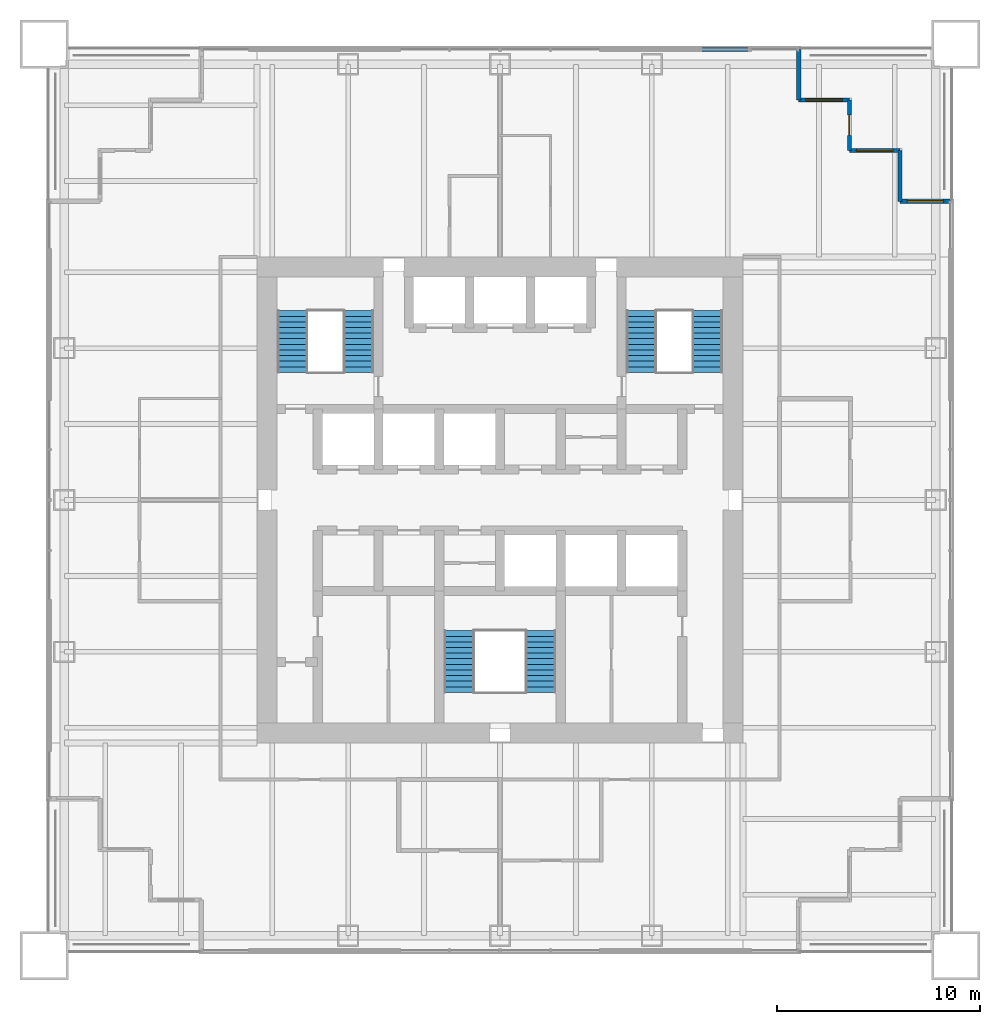
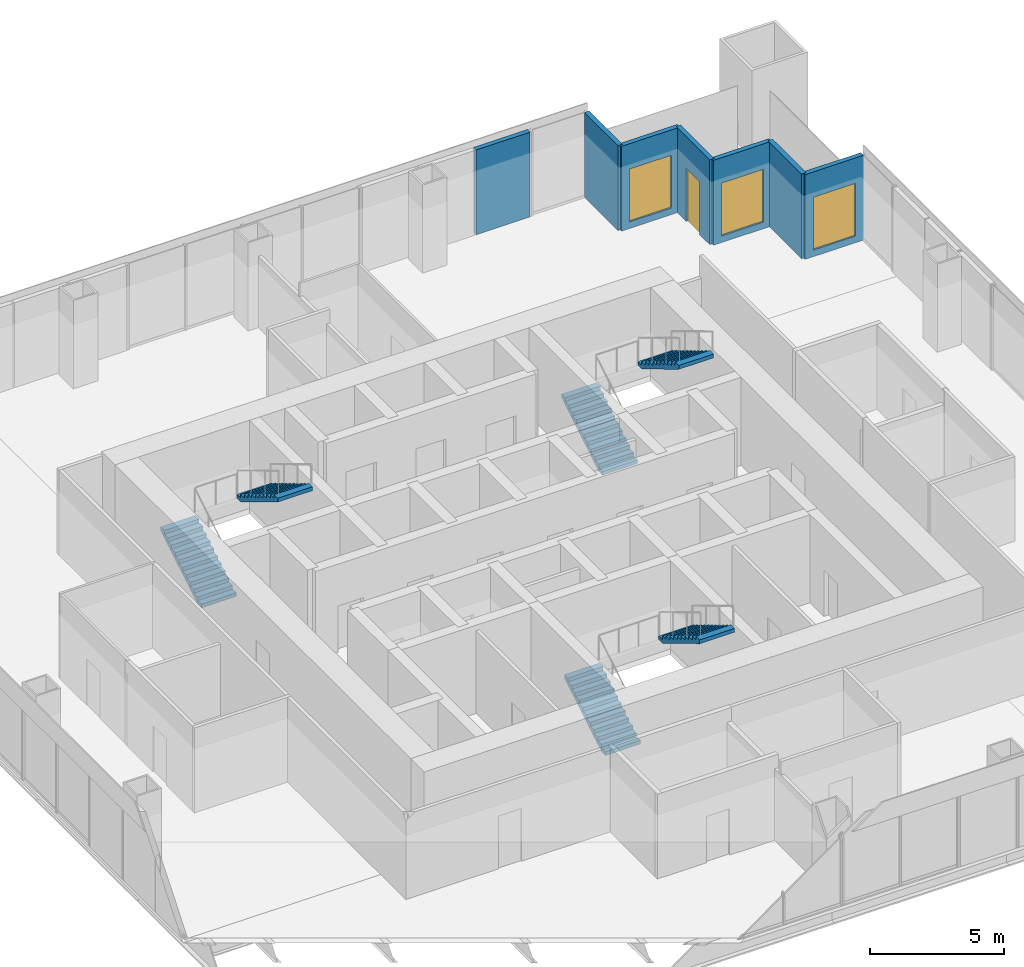
# One storey, part 11 of 13: 7 walls, 6 stair flights, 3 windows, 1 door, 4 openings, 3 elements without a shape of their own.
"""IFC4 building model written with IfcOpenShell, lengths in metres."""

from ifc_helpers import new_model, si_unit, direction, frame, frame_2d, origin, place, context, subcontext, project, spatial, polyline, rectangle, outline, extrude, material, layer, layer_set, type_object, element, fill, aggregate, save


model = new_model("IFC4")

# Units and contexts
model_context = context("Model", 3, precision=1e-05, world=origin(), true_north=direction((0.0, 1.0)))
body_context = subcontext(model_context, "Body", "Model", "MODEL_VIEW")
ifc_project = project(units=[si_unit("LENGTHUNIT", "METRE"), si_unit("AREAUNIT", "SQUARE_METRE"), si_unit("VOLUMEUNIT", "CUBIC_METRE"), si_unit("PLANEANGLEUNIT", "RADIAN"), si_unit("MASSUNIT", "GRAM", prefix="KILO")], contexts=[model_context])

# Site, building, storey
site_placement = place(None, origin())
site = spatial("IfcSite", under=ifc_project, at=site_placement, CompositionType="ELEMENT")
building_placement = place(site_placement, origin())
building = spatial("IfcBuilding", under=site, at=building_placement, Name="Tarangal Relay Tower", CompositionType="ELEMENT")
storey_placement = place(building_placement, frame((0.0, 0.0, 225.89990234375)))
storey = spatial("IfcBuildingStorey", under=building, at=storey_placement, Name="L48", CompositionType="ELEMENT", Elevation=225.89990234375)

# Wall
ifc_material_1 = material(Name="Black metal clad insulated wall", Category="steel")
ifc_layer_1 = layer(ifc_material_1, 0.199951171875)
ifc_layer_set_1 = layer_set([ifc_layer_1], Name="Corner wall metal clad 200")
wall_type_1 = type_object("IfcWallType", Name="Corner wall metal clad 200", PredefinedType="SOLIDWALL", material=ifc_layer_set_1)
wall_1_placement = place(storey_placement, frame((14.75, 22.25, 0.0), z_axis=(0.0, 0.0, 1.0), x_axis=(0.0, -1.0, 0.0)))
element("IfcWall", 1, at=wall_1_placement, inside=storey, type_object=wall_type_1, Name="Facade wall N facade L48", PredefinedType="SOLIDWALL", context=body_context, shape_type="SweptSolid", body=[
    extrude(rectangle(XDim=2.5, YDim=0.199951171875, at=frame_2d((1.25, 0.0))), origin(), (0.0, 0.0, 1.0), 3.85009765625),
])

# Wall, opening, window
wall_2_placement = place(storey_placement, frame((14.75, 19.75, 0.0), z_axis=(0.0, 0.0, 1.0), x_axis=(1.0, 0.0, 0.0)))
wall_2 = element("IfcWall", 2, at=wall_2_placement, inside=storey, type_object=wall_type_1, Name="Facade wall N facade L48", PredefinedType="SOLIDWALL", context=body_context, shape_type="SweptSolid", body=[
    extrude(rectangle(XDim=2.5, YDim=0.199951171875, at=frame_2d((1.25, 0.0))), origin(), (0.0, 0.0, 1.0), 3.85009765625),
])
opening_1_placement = place(wall_2_placement, frame((0.35009765625, 0.0, 0.300048828125)))
opening_1 = element("IfcOpeningElement", 3, at=opening_1_placement, cuts=wall_2, Name="Opening WN2", PredefinedType="OPENING", context=body_context, shape_type="SweptSolid", body=[
    extrude(rectangle(XDim=1.800048828125, YDim=2.39990234375, at=frame_2d((0.89990234375, 1.199951171875))), frame((0.0, 0.10986328125, 0.0), z_axis=(0.0, -1.0, 0.0), x_axis=(1.0, 0.0, 0.0)), (0.0, 0.0, 1.0), 0.219970703125),
])
ifc_material_2 = material(Name="Dark tinted double glazing in black aluminium frame", Category="aluminium")
window_type = type_object("IfcWindowType", Name="Corner window 1800 x 2400", PartitioningType="SINGLE_PANEL", PredefinedType="WINDOW", material=ifc_material_2)
window_1_placement = place(opening_1_placement, origin())
window_1 = element("IfcWindow", 4, at=window_1_placement, inside=storey, type_object=window_type, Name="Corner window WN2 N facade L48", OverallHeight=2.39990234375, OverallWidth=1.800048828125, PartitioningType="SINGLE_PANEL", PredefinedType="WINDOW", context=body_context, shape_type="SweptSolid", body=[
    extrude(rectangle(XDim=1.800048828125, YDim=2.39990234375, at=frame_2d((0.89990234375, 1.199951171875))), frame((0.0, 0.030029296875, 0.0), z_axis=(0.0, -1.0, 0.0), x_axis=(1.0, 0.0, 0.0)), (0.0, 0.0, 1.0), 0.06005859375),
])
fill(opening_1, window_1)

# Wall, opening, door
wall_3_placement = place(storey_placement, frame((17.25, 19.75, 0.0), z_axis=(0.0, 0.0, 1.0), x_axis=(0.0, -1.0, 0.0)))
wall_3 = element("IfcWall", 5, at=wall_3_placement, inside=storey, type_object=wall_type_1, Name="Facade wall N facade L48", PredefinedType="SOLIDWALL", context=body_context, shape_type="SweptSolid", body=[
    extrude(rectangle(XDim=2.5, YDim=0.199951171875, at=frame_2d((1.25, 0.0))), origin(), (0.0, 0.0, 1.0), 3.85009765625),
])
opening_2_placement = place(wall_3_placement, frame((0.75, 0.0, 0.0)))
opening_2 = element("IfcOpeningElement", 6, at=opening_2_placement, cuts=wall_3, Name="Opening TD1", PredefinedType="OPENING", context=body_context, shape_type="SweptSolid", body=[
    extrude(rectangle(XDim=1.0, YDim=2.39990234375, at=frame_2d((0.5, 1.199951171875))), frame((0.0, 0.10986328125, 0.0), z_axis=(0.0, -1.0, 0.0), x_axis=(1.0, 0.0, 0.0)), (0.0, 0.0, 1.0), 0.219970703125),
])
ifc_material_3 = material(Name="Aluminium glazed door", Category="aluminium")
door_type = type_object("IfcDoorType", Name="Terrace door 1000 x 2400", OperationType="SINGLE_SWING_RIGHT", PredefinedType="DOOR", material=ifc_material_3)
door_placement = place(opening_2_placement, origin())
door = element("IfcDoor", 7, at=door_placement, inside=storey, type_object=door_type, Name="Terrace door TD1 NE L48", OperationType="SINGLE_SWING_RIGHT", OverallHeight=2.39990234375, OverallWidth=1.0, PredefinedType="DOOR", context=body_context, shape_type="SweptSolid", body=[
    extrude(rectangle(XDim=1.0, YDim=2.39990234375, at=frame_2d((0.5, 1.199951171875))), frame((0.0, 0.02490234375, 0.0), z_axis=(0.0, -1.0, 0.0), x_axis=(1.0, 0.0, 0.0)), (0.0, 0.0, 1.0), 0.050048828125),
])
fill(opening_2, door)

# Wall, opening, window
wall_4_placement = place(storey_placement, frame((17.25, 17.25, 0.0), z_axis=(0.0, 0.0, 1.0), x_axis=(1.0, 0.0, 0.0)))
wall_4 = element("IfcWall", 8, at=wall_4_placement, inside=storey, type_object=wall_type_1, Name="Facade wall N facade L48", PredefinedType="SOLIDWALL", context=body_context, shape_type="SweptSolid", body=[
    extrude(rectangle(XDim=2.5, YDim=0.199951171875, at=frame_2d((1.25, 0.0))), origin(), (0.0, 0.0, 1.0), 3.85009765625),
])
opening_3_placement = place(wall_4_placement, frame((0.35009765625, 0.0, 0.300048828125)))
opening_3 = element("IfcOpeningElement", 9, at=opening_3_placement, cuts=wall_4, Name="Opening WN2", PredefinedType="OPENING", context=body_context, shape_type="SweptSolid", body=[
    extrude(rectangle(XDim=1.800048828125, YDim=2.39990234375, at=frame_2d((0.89990234375, 1.199951171875))), frame((0.0, 0.10986328125, 0.0), z_axis=(0.0, -1.0, 0.0), x_axis=(1.0, 0.0, 0.0)), (0.0, 0.0, 1.0), 0.219970703125),
])
window_2_placement = place(opening_3_placement, origin())
window_2 = element("IfcWindow", 10, at=window_2_placement, inside=storey, type_object=window_type, Name="Corner window WN2 N facade L48", OverallHeight=2.39990234375, OverallWidth=1.800048828125, PartitioningType="SINGLE_PANEL", PredefinedType="WINDOW", context=body_context, shape_type="SweptSolid", body=[
    extrude(rectangle(XDim=1.800048828125, YDim=2.39990234375, at=frame_2d((0.89990234375, 1.199951171875))), frame((0.0, 0.030029296875, 0.0), z_axis=(0.0, -1.0, 0.0), x_axis=(1.0, 0.0, 0.0)), (0.0, 0.0, 1.0), 0.06005859375),
])
fill(opening_3, window_2)

# Wall
wall_5_placement = place(storey_placement, frame((19.75, 17.25, 0.0), z_axis=(0.0, 0.0, 1.0), x_axis=(0.0, -1.0, 0.0)))
element("IfcWall", 11, at=wall_5_placement, inside=storey, type_object=wall_type_1, Name="Facade wall N facade L48", PredefinedType="SOLIDWALL", context=body_context, shape_type="SweptSolid", body=[
    extrude(rectangle(XDim=2.5, YDim=0.199951171875, at=frame_2d((1.25, 0.0))), origin(), (0.0, 0.0, 1.0), 3.85009765625),
])

# Wall, opening, window
wall_6_placement = place(storey_placement, frame((19.75, 14.75, 0.0), z_axis=(0.0, 0.0, 1.0), x_axis=(1.0, 0.0, 0.0)))
wall_6 = element("IfcWall", 12, at=wall_6_placement, inside=storey, type_object=wall_type_1, Name="Facade wall N facade L48", PredefinedType="SOLIDWALL", context=body_context, shape_type="SweptSolid", body=[
    extrude(rectangle(XDim=2.5, YDim=0.199951171875, at=frame_2d((1.25, 0.0))), origin(), (0.0, 0.0, 1.0), 3.85009765625),
])
opening_4_placement = place(wall_6_placement, frame((0.35009765625, 0.0, 0.300048828125)))
opening_4 = element("IfcOpeningElement", 13, at=opening_4_placement, cuts=wall_6, Name="Opening WN2", PredefinedType="OPENING", context=body_context, shape_type="SweptSolid", body=[
    extrude(rectangle(XDim=1.800048828125, YDim=2.39990234375, at=frame_2d((0.89990234375, 1.199951171875))), frame((0.0, 0.10986328125, 0.0), z_axis=(0.0, -1.0, 0.0), x_axis=(1.0, 0.0, 0.0)), (0.0, 0.0, 1.0), 0.219970703125),
])
window_3_placement = place(opening_4_placement, origin())
window_3 = element("IfcWindow", 14, at=window_3_placement, inside=storey, type_object=window_type, Name="Corner window WN2 N facade L48", OverallHeight=2.39990234375, OverallWidth=1.800048828125, PartitioningType="SINGLE_PANEL", PredefinedType="WINDOW", context=body_context, shape_type="SweptSolid", body=[
    extrude(rectangle(XDim=1.800048828125, YDim=2.39990234375, at=frame_2d((0.89990234375, 1.199951171875))), frame((0.0, 0.030029296875, 0.0), z_axis=(0.0, -1.0, 0.0), x_axis=(1.0, 0.0, 0.0)), (0.0, 0.0, 1.0), 0.06005859375),
])
fill(opening_4, window_3)

# Wall
ifc_layer_2 = layer(ifc_material_1, 0.199951171875)
ifc_layer_set_2 = layer_set([ifc_layer_2], Name="Facade infill wall metal clad 200")
wall_type_2 = type_object("IfcWallType", Name="Facade infill wall metal clad 200", PredefinedType="SOLIDWALL", material=ifc_layer_set_2)
wall_7_placement = place(storey_placement, frame((9.94921875, 22.25, 0.0), z_axis=(0.0, 0.0, 1.0), x_axis=(1.0, 0.0, 0.0)))
element("IfcWall", 15, at=wall_7_placement, inside=storey, type_object=wall_type_2, Name="Facade infill wall N facade L48 2.1", PredefinedType="SOLIDWALL", context=body_context, shape_type="SweptSolid", body=[
    extrude(rectangle(XDim=2.319091796875, YDim=0.199951171875, at=frame_2d((1.15966796875, 0.0))), origin(), (0.0, 0.0, 1.0), 3.85009765625),
])

# Stair, stair flights
ifc_material_4 = material(Name="Steel ASTM A992 stair flight", Category="steel")
stair_type = type_object("IfcStairType", Name="Core stair 1500", PredefinedType="HALF_TURN_STAIR", material=ifc_material_4)
stair_1_placement = place(storey_placement, origin())
stair_1 = element("IfcStair", 16, at=stair_1_placement, inside=storey, type_object=stair_type, Name="Stair ST-A L48", PredefinedType="HALF_TURN_STAIR")
stair_flight_type = type_object("IfcStairFlightType", Name="Steel stair flight 1500, 12 risers 167 x 277", PredefinedType="STRAIGHT", material=ifc_material_4)
stair_flight_1_placement = place(storey_placement, frame((-10.25, 6.300048828125, 0.0), z_axis=(0.0, 0.0, 1.0), x_axis=(0.0, 1.0, 0.0)))
stair_flight_1 = element("IfcStairFlight", 17, at=stair_flight_1_placement, type_object=stair_flight_type, Name="ST-A flight 1", NumberOfRisers=12, NumberOfTreads=11, PredefinedType="STRAIGHT", RiserHeight=0.166666667, TreadLength=0.277, context=body_context, shape_type="SweptSolid", body=[
    extrude(outline(polyline([(0.0, 0.0), (0.0, 0.166748046875), (0.277099609375, 0.166748046875), (0.277099609375, 0.333251953125), (0.553955078125, 0.333251953125), (0.553955078125, 0.5), (0.8310546875, 0.5), (0.8310546875, 0.666748046875), (1.10791015625, 0.666748046875), (1.10791015625, 0.833251953125), (1.385009765625, 0.833251953125), (1.385009765625, 1.0), (1.662109375, 1.0), (1.662109375, 1.166748046875), (1.93896484375, 1.166748046875), (1.93896484375, 1.333251953125), (2.216064453125, 1.333251953125), (2.216064453125, 1.5), (2.492919921875, 1.5), (2.492919921875, 1.666748046875), (2.77001953125, 1.666748046875), (2.77001953125, 1.833251953125), (3.047119140625, 1.833251953125), (3.047119140625, 2.0), (3.047119140625, 1.658447265625), (0.290771484375, 0.0), (0.0, 0.0)])), frame((0.0, 0.75, 0.0), z_axis=(0.0, -1.0, 0.0), x_axis=(1.0, 0.0, 0.0)), (0.0, 0.0, 1.0), 1.5),
])
stair_flight_2_placement = place(storey_placement, frame((-6.97509765625, 9.346923828125, 2.0), z_axis=(0.0, 0.0, 1.0), x_axis=(0.0, -1.0, 0.0)))
stair_flight_2 = element("IfcStairFlight", 18, at=stair_flight_2_placement, type_object=stair_flight_type, Name="ST-A flight 2", NumberOfRisers=12, NumberOfTreads=11, PredefinedType="STRAIGHT", RiserHeight=0.166666667, TreadLength=0.277, context=body_context, shape_type="SweptSolid", body=[
    extrude(outline(polyline([(0.0, 0.0), (0.0, 0.166748046875), (0.277099609375, 0.166748046875), (0.277099609375, 0.333251953125), (0.553955078125, 0.333251953125), (0.553955078125, 0.5), (0.8310546875, 0.5), (0.8310546875, 0.666748046875), (1.10791015625, 0.666748046875), (1.10791015625, 0.833251953125), (1.385009765625, 0.833251953125), (1.385009765625, 1.0), (1.662109375, 1.0), (1.662109375, 1.166748046875), (1.93896484375, 1.166748046875), (1.93896484375, 1.333251953125), (2.216064453125, 1.333251953125), (2.216064453125, 1.5), (2.492919921875, 1.5), (2.492919921875, 1.666748046875), (2.77001953125, 1.666748046875), (2.77001953125, 1.833251953125), (3.047119140625, 1.833251953125), (3.047119140625, 2.0), (3.047119140625, 1.658447265625), (0.290771484375, 0.0), (0.0, 0.0)])), frame((0.0, 0.75, 0.0), z_axis=(0.0, -1.0, 0.0), x_axis=(1.0, 0.0, 0.0)), (0.0, 0.0, 1.0), 1.5),
])
aggregate(stair_1, [stair_flight_1, stair_flight_2])

stair_2_placement = place(storey_placement, origin())
stair_2 = element("IfcStair", 19, at=stair_2_placement, inside=storey, type_object=stair_type, Name="Stair ST-B L48", PredefinedType="HALF_TURN_STAIR")
stair_flight_3_placement = place(storey_placement, frame((6.97509765625, 6.300048828125, 0.0), z_axis=(0.0, 0.0, 1.0), x_axis=(0.0, 1.0, 0.0)))
stair_flight_3 = element("IfcStairFlight", 20, at=stair_flight_3_placement, type_object=stair_flight_type, Name="ST-B flight 1", NumberOfRisers=12, NumberOfTreads=11, PredefinedType="STRAIGHT", RiserHeight=0.166666667, TreadLength=0.277, context=body_context, shape_type="SweptSolid", body=[
    extrude(outline(polyline([(0.0, 0.0), (0.0, 0.166748046875), (0.277099609375, 0.166748046875), (0.277099609375, 0.333251953125), (0.553955078125, 0.333251953125), (0.553955078125, 0.5), (0.8310546875, 0.5), (0.8310546875, 0.666748046875), (1.10791015625, 0.666748046875), (1.10791015625, 0.833251953125), (1.385009765625, 0.833251953125), (1.385009765625, 1.0), (1.662109375, 1.0), (1.662109375, 1.166748046875), (1.93896484375, 1.166748046875), (1.93896484375, 1.333251953125), (2.216064453125, 1.333251953125), (2.216064453125, 1.5), (2.492919921875, 1.5), (2.492919921875, 1.666748046875), (2.77001953125, 1.666748046875), (2.77001953125, 1.833251953125), (3.047119140625, 1.833251953125), (3.047119140625, 2.0), (3.047119140625, 1.658447265625), (0.290771484375, 0.0), (0.0, 0.0)])), frame((0.0, 0.75, 0.0), z_axis=(0.0, -1.0, 0.0), x_axis=(1.0, 0.0, 0.0)), (0.0, 0.0, 1.0), 1.5),
])
stair_flight_4_placement = place(storey_placement, frame((10.25, 9.346923828125, 2.0), z_axis=(0.0, 0.0, 1.0), x_axis=(0.0, -1.0, 0.0)))
stair_flight_4 = element("IfcStairFlight", 21, at=stair_flight_4_placement, type_object=stair_flight_type, Name="ST-B flight 2", NumberOfRisers=12, NumberOfTreads=11, PredefinedType="STRAIGHT", RiserHeight=0.166666667, TreadLength=0.277, context=body_context, shape_type="SweptSolid", body=[
    extrude(outline(polyline([(0.0, 0.0), (0.0, 0.166748046875), (0.277099609375, 0.166748046875), (0.277099609375, 0.333251953125), (0.553955078125, 0.333251953125), (0.553955078125, 0.5), (0.8310546875, 0.5), (0.8310546875, 0.666748046875), (1.10791015625, 0.666748046875), (1.10791015625, 0.833251953125), (1.385009765625, 0.833251953125), (1.385009765625, 1.0), (1.662109375, 1.0), (1.662109375, 1.166748046875), (1.93896484375, 1.166748046875), (1.93896484375, 1.333251953125), (2.216064453125, 1.333251953125), (2.216064453125, 1.5), (2.492919921875, 1.5), (2.492919921875, 1.666748046875), (2.77001953125, 1.666748046875), (2.77001953125, 1.833251953125), (3.047119140625, 1.833251953125), (3.047119140625, 2.0), (3.047119140625, 1.658447265625), (0.290771484375, 0.0), (0.0, 0.0)])), frame((0.0, 0.75, 0.0), z_axis=(0.0, -1.0, 0.0), x_axis=(1.0, 0.0, 0.0)), (0.0, 0.0, 1.0), 1.5),
])
aggregate(stair_2, [stair_flight_3, stair_flight_4])

stair_3_placement = place(storey_placement, origin())
stair_3 = element("IfcStair", 22, at=stair_3_placement, inside=storey, type_object=stair_type, Name="Stair ST-C L48", PredefinedType="HALF_TURN_STAIR")
stair_flight_5_placement = place(storey_placement, frame((-2.02490234375, -9.5, 0.0), z_axis=(0.0, 0.0, 1.0), x_axis=(0.0, 1.0, 0.0)))
stair_flight_5 = element("IfcStairFlight", 23, at=stair_flight_5_placement, type_object=stair_flight_type, Name="ST-C flight 1", NumberOfRisers=12, NumberOfTreads=11, PredefinedType="STRAIGHT", RiserHeight=0.166666667, TreadLength=0.277, context=body_context, shape_type="SweptSolid", body=[
    extrude(outline(polyline([(0.0, 0.0), (0.0, 0.166748046875), (0.277099609375, 0.166748046875), (0.277099609375, 0.333251953125), (0.553955078125, 0.333251953125), (0.553955078125, 0.5), (0.8310546875, 0.5), (0.8310546875, 0.666748046875), (1.10791015625, 0.666748046875), (1.10791015625, 0.833251953125), (1.385009765625, 0.833251953125), (1.385009765625, 1.0), (1.662109375, 1.0), (1.662109375, 1.166748046875), (1.93896484375, 1.166748046875), (1.93896484375, 1.333251953125), (2.216064453125, 1.333251953125), (2.216064453125, 1.5), (2.492919921875, 1.5), (2.492919921875, 1.666748046875), (2.77001953125, 1.666748046875), (2.77001953125, 1.833251953125), (3.047119140625, 1.833251953125), (3.047119140625, 2.0), (3.047119140625, 1.658447265625), (0.290771484375, 0.0), (0.0, 0.0)])), frame((0.0, 0.75, 0.0), z_axis=(0.0, -1.0, 0.0), x_axis=(1.0, 0.0, 0.0)), (0.0, 0.0, 1.0), 1.5),
])
stair_flight_6_placement = place(storey_placement, frame((2.02490234375, -6.452880859375, 2.0), z_axis=(0.0, 0.0, 1.0), x_axis=(0.0, -1.0, 0.0)))
stair_flight_6 = element("IfcStairFlight", 24, at=stair_flight_6_placement, type_object=stair_flight_type, Name="ST-C flight 2", NumberOfRisers=12, NumberOfTreads=11, PredefinedType="STRAIGHT", RiserHeight=0.166666667, TreadLength=0.277, context=body_context, shape_type="SweptSolid", body=[
    extrude(outline(polyline([(0.0, 0.0), (0.0, 0.166748046875), (0.277099609375, 0.166748046875), (0.277099609375, 0.333251953125), (0.553955078125, 0.333251953125), (0.553955078125, 0.5), (0.8310546875, 0.5), (0.8310546875, 0.666748046875), (1.10791015625, 0.666748046875), (1.10791015625, 0.833251953125), (1.385009765625, 0.833251953125), (1.385009765625, 1.0), (1.662109375, 1.0), (1.662109375, 1.166748046875), (1.93896484375, 1.166748046875), (1.93896484375, 1.333251953125), (2.216064453125, 1.333251953125), (2.216064453125, 1.5), (2.492919921875, 1.5), (2.492919921875, 1.666748046875), (2.77001953125, 1.666748046875), (2.77001953125, 1.833251953125), (3.047119140625, 1.833251953125), (3.047119140625, 2.0), (3.047119140625, 1.658447265625), (0.290771484375, 0.0), (0.0, 0.0)])), frame((0.0, 0.75, 0.0), z_axis=(0.0, -1.0, 0.0), x_axis=(1.0, 0.0, 0.0)), (0.0, 0.0, 1.0), 1.5),
])
aggregate(stair_3, [stair_flight_5, stair_flight_6])

save(model, "model.ifc")
